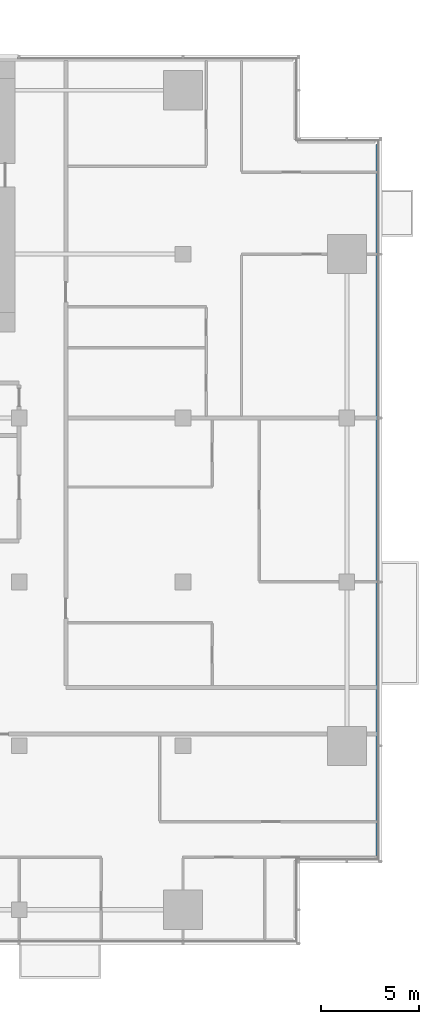
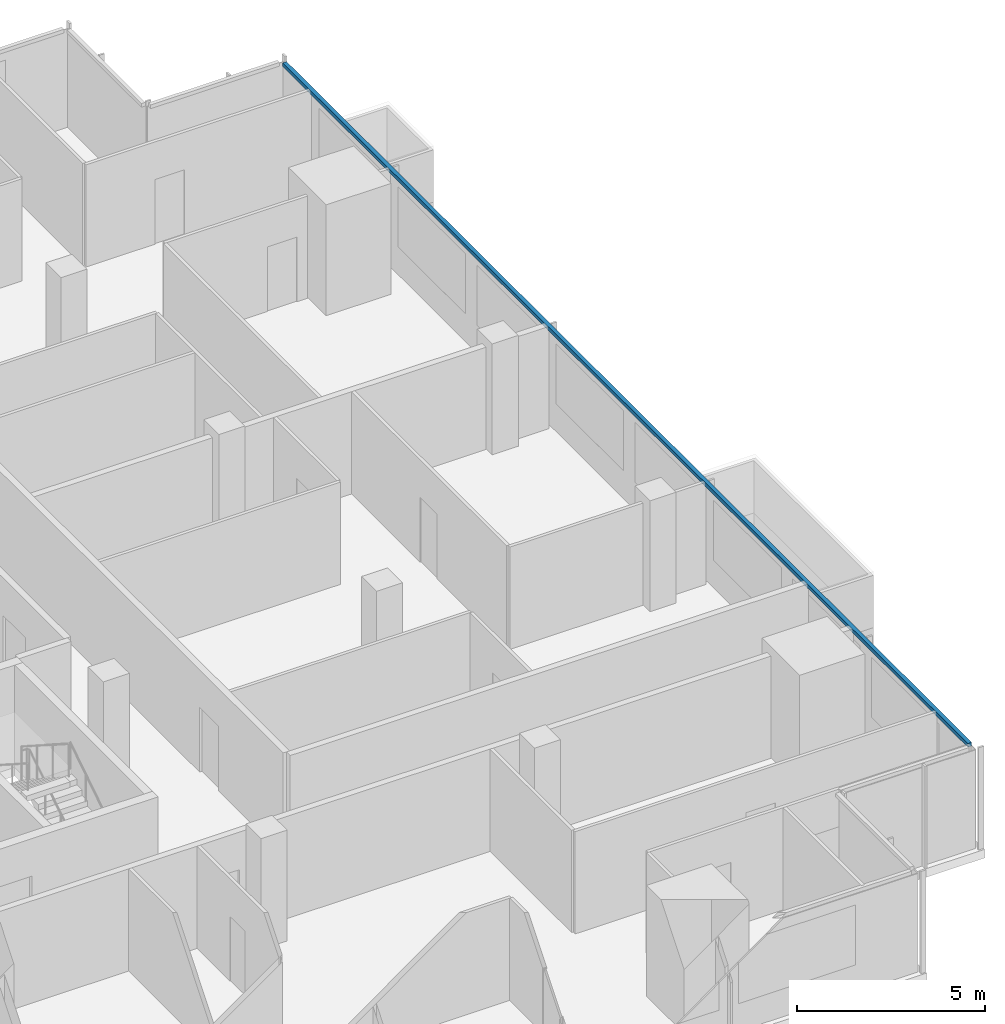
# One storey, part 12 of 26: 1 member, 1 element without a shape of its own.
"""IFC4 building model written with IfcOpenShell, lengths in metres."""

from ifc_helpers import new_model, si_unit, direction, frame, origin, origin_2d, place, context, subcontext, project, spatial, rectangle, extrude, material, material_profile, profile_set, type_object, element, aggregate, save


model = new_model("IFC4")

# Units and contexts
model_context = context("Model", 3, precision=1e-05, world=origin(), true_north=direction((0.0, 1.0)))
body_context = subcontext(model_context, "Body", "Model", "MODEL_VIEW")
ifc_project = project(units=[si_unit("LENGTHUNIT", "METRE"), si_unit("AREAUNIT", "SQUARE_METRE"), si_unit("VOLUMEUNIT", "CUBIC_METRE"), si_unit("PLANEANGLEUNIT", "RADIAN"), si_unit("MASSUNIT", "GRAM", prefix="KILO")], contexts=[model_context])

# Site, building, storey
site_placement = place(None, origin())
site = spatial("IfcSite", under=ifc_project, at=site_placement, CompositionType="ELEMENT")
building_placement = place(site_placement, origin())
building = spatial("IfcBuilding", under=site, at=building_placement, Name="Saffron Gate Tower", CompositionType="ELEMENT")
storey_placement = place(building_placement, frame((0.0, 0.0, 120.449951171875)))
storey = spatial("IfcBuildingStorey", under=building, at=storey_placement, Name="L28", CompositionType="ELEMENT", Elevation=120.449951171875)

# Curtain wall, member
ifc_material = material(Name="Aluminium, bronze anodised", Category="aluminium")
curtain_wall_type = type_object("IfcCurtainWallType", Name="CWS2 curtain wall side facades", PredefinedType="NOTDEFINED", material=ifc_material)
curtain_wall_placement = place(storey_placement, origin())
curtain_wall = element("IfcCurtainWall", 1, at=curtain_wall_placement, inside=storey, type_object=curtain_wall_type, Name="CWS2 run 4", PredefinedType="NOTDEFINED")
ifc_material_profile = material_profile(ifc_material, rectangle(XDim=0.1201171875, YDim=0.1201171875, at=origin_2d()))
ifc_profile_set = profile_set([ifc_material_profile], Name="Aluminium, bronze anodised")
member_type = type_object("IfcMemberType", Name="CWS2 head transom", PredefinedType="USERDEFINED", material=ifc_profile_set)
member_placement = place(storey_placement, frame((126.951904296875, 34.568115234375, 3.260009765625), z_axis=(0.0, 1.0, 0.0), x_axis=(-1.0, 0.0, 0.0)))
member = element("IfcMember", 2, at=member_placement, type_object=member_type, Name="CWS2 head transom", ObjectType="TRANSOM", PredefinedType="USERDEFINED", context=body_context, shape_type="SweptSolid", body=[
    extrude(rectangle(XDim=0.1201171875, YDim=0.1201171875, at=origin_2d()), origin(), (0.0, 0.0, 1.0), 36.4638671875),
])
aggregate(curtain_wall, [member])

save(model, "model.ifc")
